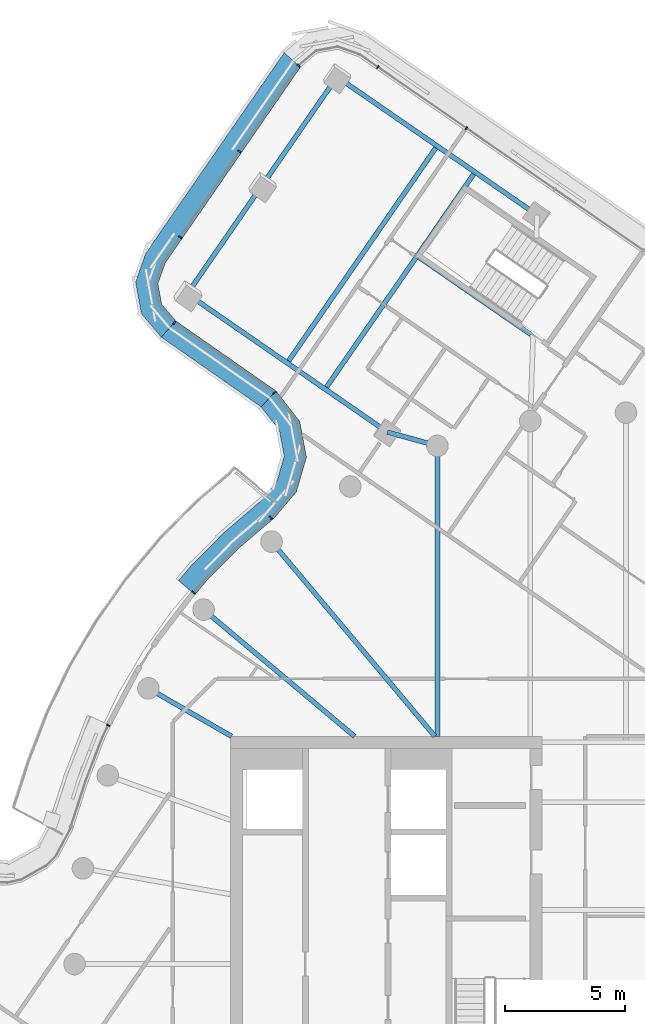
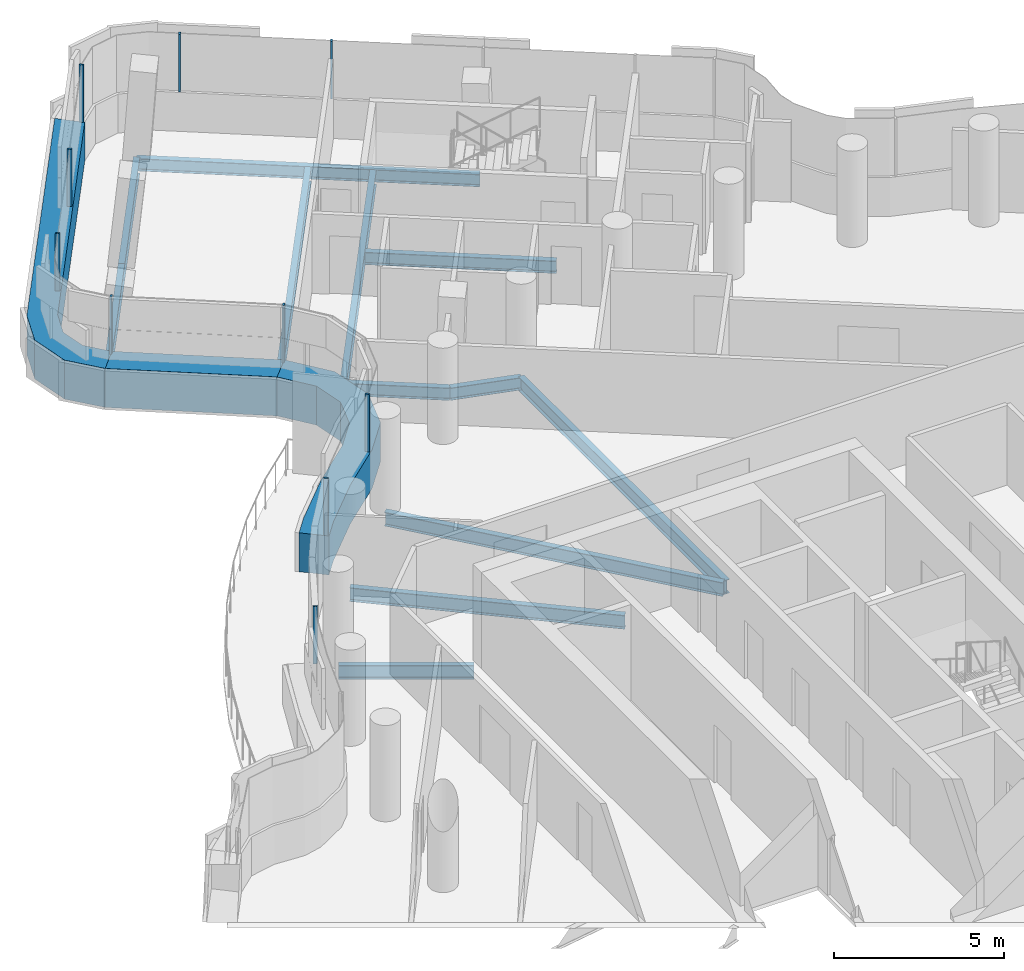
# One storey, part 9 of 26: 13 members, 12 beams, 4 elements without a shape of their own.
"""IFC4 building model written with IfcOpenShell, lengths in metres."""

from ifc_helpers import new_model, si_unit, direction, frame, origin, origin_2d, place, context, subcontext, project, spatial, polyline, rectangle, i_section, outline, extrude, material, layer, layer_set, material_profile, profile_set, type_object, element, aggregate, save


model = new_model("IFC4")

# Units and contexts
model_context = context("Model", 3, precision=1e-05, world=origin(), true_north=direction((0.0, 1.0)))
body_context = subcontext(model_context, "Body", "Model", "MODEL_VIEW")
ifc_project = project(units=[si_unit("LENGTHUNIT", "METRE"), si_unit("AREAUNIT", "SQUARE_METRE"), si_unit("VOLUMEUNIT", "CUBIC_METRE"), si_unit("PLANEANGLEUNIT", "RADIAN"), si_unit("MASSUNIT", "GRAM", prefix="KILO")], contexts=[model_context])

# Site, building, storey
site_placement = place(None, origin())
site = spatial("IfcSite", under=ifc_project, at=site_placement, CompositionType="ELEMENT")
building_placement = place(site_placement, origin())
building = spatial("IfcBuilding", under=site, at=building_placement, Name="Tamarind Cross Interchange Tower", CompositionType="ELEMENT")
storey_placement = place(building_placement, frame((0.0, 0.0, 234.300048828125)))
storey = spatial("IfcBuildingStorey", under=building, at=storey_placement, Name="L59", CompositionType="ELEMENT", Elevation=234.300048828125)

# Beams
ifc_material_1 = material(Name="Steel Q355B", Category="steel")
ifc_material_profile_1 = material_profile(ifc_material_1, i_section(OverallWidth=0.198974609375, OverallDepth=0.446044921875, WebThickness=0.008056640625, FlangeThickness=0.011962890625, FilletRadius=0.012939453125, at=origin_2d()), Name="HN 446x199x8x12")
ifc_profile_set_1 = profile_set([ifc_material_profile_1], Name="Steel Q355B")
beam_type_1 = type_object("IfcBeamType", Name="Composite beam HN 446x199x8x12 Q355B", PredefinedType="BEAM", material=ifc_profile_set_1)
for number, where, z_axis, x_axis, name in (
    (1, (-12.0517578125, 37.005615234375, -0.363037109375), (0.822882163491, -0.568212059893, 0.0), (0.568212059893, 0.822882163491, 0.0), "Beam N-edgeem4"),
    (2, (-18.302001953125, 27.9541015625, -0.363037109375), (0.82287090968, -0.568228357268, 0.0), (0.568228357268, 0.82287090968, 0.0), "Beam N-edgeep2"),
):
    element("IfcBeam", number, at=place(storey_placement, frame(where, z_axis=z_axis, x_axis=x_axis)), inside=storey, type_object=beam_type_1, Name=name, PredefinedType="BEAM", context=body_context, shape_type="SweptSolid", body=[
        extrude(i_section(OverallWidth=0.198974609375, OverallDepth=0.446044921875, WebThickness=0.008056640625, FlangeThickness=0.011962890625, FilletRadius=0.012939453125, at=origin_2d()), origin(), (0.0, 0.0, 1.0), 10.1435546875),
    ])
beam_1_placement = place(storey_placement, frame((-9.955078125, 22.190185546875, -0.363037109375), z_axis=(0.963876995577, -0.266347775283, 0.0), x_axis=(0.266347775283, 0.963876995577, 0.0)))
element("IfcBeam", 3, at=beam_1_placement, inside=storey, type_object=beam_type_1, Name="Beam N-linkep", PredefinedType="BEAM", context=body_context, shape_type="SweptSolid", body=[
    extrude(i_section(OverallWidth=0.198974609375, OverallDepth=0.446044921875, WebThickness=0.008056640625, FlangeThickness=0.011962890625, FilletRadius=0.012939453125, at=origin_2d()), origin(), (0.0, 0.0, 1.0), 2.1669921875),
])
beam_2_placement = place(storey_placement, frame((-3.971923828125, 26.26171875, -0.363037109375), z_axis=(-0.822888737989, 0.568202538617, 0.0), x_axis=(-0.568202538617, -0.822888737989, 0.0)))
element("IfcBeam", 4, at=beam_2_placement, inside=storey, type_object=beam_type_1, Name="Beam N-tr1s1", PredefinedType="BEAM", context=body_context, shape_type="SweptSolid", body=[
    extrude(i_section(OverallWidth=0.198974609375, OverallDepth=0.446044921875, WebThickness=0.008056640625, FlangeThickness=0.011962890625, FilletRadius=0.012939453125, at=origin_2d()), origin(), (0.0, 0.0, 1.0), 5.660400390625),
])
ifc_material_profile_2 = material_profile(ifc_material_1, i_section(OverallWidth=0.198974609375, OverallDepth=0.49609375, WebThickness=0.009033203125, FlangeThickness=0.013916015625, FilletRadius=0.012939453125, at=origin_2d()), Name="HN 496x199x9x14")
ifc_profile_set_2 = profile_set([ifc_material_profile_2], Name="Steel Q355B")
beam_type_2 = type_object("IfcBeamType", Name="Composite beam HN 496x199x9x14 Q355B", PredefinedType="BEAM", material=ifc_profile_set_2)
beam_3_placement = place(storey_placement, frame((-7.866455078125, 21.613037109375, -0.387939453125), z_axis=(0.0, -1.0, 0.0), x_axis=(1.0, 0.0, 0.0)))
element("IfcBeam", 5, at=beam_3_placement, inside=storey, type_object=beam_type_2, Name="Beam HH11", PredefinedType="BEAM", context=body_context, shape_type="SweptSolid", body=[
    extrude(i_section(OverallWidth=0.198974609375, OverallDepth=0.49609375, WebThickness=0.009033203125, FlangeThickness=0.013916015625, FilletRadius=0.012939453125, at=origin_2d()), origin(), (0.0, 0.0, 1.0), 12.113037109375),
])
beam_4_placement = place(storey_placement, frame((-14.7841796875, 17.619140625, -0.387939453125), z_axis=(0.642786293979, -0.766045547127, 0.0), x_axis=(0.766045547127, 0.642786293979, 0.0)))
element("IfcBeam", 6, at=beam_4_placement, inside=storey, type_object=beam_type_2, Name="Beam HH13", PredefinedType="BEAM", context=body_context, shape_type="SweptSolid", body=[
    extrude(i_section(OverallWidth=0.198974609375, OverallDepth=0.49609375, WebThickness=0.009033203125, FlangeThickness=0.013916015625, FilletRadius=0.012939453125, at=origin_2d()), origin(), (0.0, 0.0, 1.0), 10.598876953125),
])
beam_5_placement = place(storey_placement, frame((-17.619140625, 14.7841796875, -0.387939453125), z_axis=(0.766040580814, -0.642792212574, 0.0), x_axis=(0.642792212574, 0.766040580814, 0.0)))
element("IfcBeam", 7, at=beam_5_placement, inside=storey, type_object=beam_type_2, Name="Beam HH14", PredefinedType="BEAM", context=body_context, shape_type="SweptSolid", body=[
    extrude(i_section(OverallWidth=0.198974609375, OverallDepth=0.49609375, WebThickness=0.009033203125, FlangeThickness=0.013916015625, FilletRadius=0.012939453125, at=origin_2d()), origin(), (0.0, 0.0, 1.0), 8.220703125),
])
beam_6_placement = place(storey_placement, frame((-19.918701171875, 11.5, -0.387939453125), z_axis=(0.866026010844, -0.49999894854, 0.0), x_axis=(0.49999894854, 0.866026010844, 0.0)))
element("IfcBeam", 8, at=beam_6_placement, inside=storey, type_object=beam_type_2, Name="Beam HH15", PredefinedType="BEAM", context=body_context, shape_type="SweptSolid", body=[
    extrude(i_section(OverallWidth=0.198974609375, OverallDepth=0.49609375, WebThickness=0.009033203125, FlangeThickness=0.013916015625, FilletRadius=0.012939453125, at=origin_2d()), origin(), (0.0, 0.0, 1.0), 4.0),
])
ifc_material_profile_3 = material_profile(ifc_material_1, i_section(OverallWidth=0.198974609375, OverallDepth=0.595947265625, WebThickness=0.010009765625, FlangeThickness=0.014892578125, FilletRadius=0.012939453125, at=origin_2d()), Name="HN 596x199x10x15")
ifc_profile_set_3 = profile_set([ifc_material_profile_3], Name="Steel Q355B")
beam_type_3 = type_object("IfcBeamType", Name="Composite beam HN 596x199x10x15 Q355B", PredefinedType="BEAM", material=ifc_profile_set_3)
beam_7_placement = place(storey_placement, frame((-12.0517578125, 37.005615234375, -0.43798828125), z_axis=(-0.568219343596, -0.822877133941, 0.0), x_axis=(0.822877133941, -0.568219343596, 0.0)))
element("IfcBeam", 9, at=beam_7_placement, inside=storey, type_object=beam_type_3, Name="Beam N-tip0", PredefinedType="BEAM", context=body_context, shape_type="SweptSolid", body=[
    extrude(i_section(OverallWidth=0.198974609375, OverallDepth=0.595947265625, WebThickness=0.010009765625, FlangeThickness=0.014892578125, FilletRadius=0.012939453125, at=origin_2d()), origin(), (0.0, 0.0, 1.0), 5.5),
])
beam_8_placement = place(storey_placement, frame((-15.177001953125, 32.479736328125, -0.43798828125), z_axis=(-0.568210041248, -0.822883557391, 0.0), x_axis=(0.822883557391, -0.568210041248, 0.0)))
element("IfcBeam", 10, at=beam_8_placement, inside=storey, type_object=beam_type_3, Name="Beam N-tip1", PredefinedType="BEAM", context=body_context, shape_type="SweptSolid", body=[
    extrude(i_section(OverallWidth=0.198974609375, OverallDepth=0.595947265625, WebThickness=0.010009765625, FlangeThickness=0.014892578125, FilletRadius=0.012939453125, at=origin_2d()), origin(), (0.0, 0.0, 1.0), 5.499755859375),
])
for number, where, z_axis, x_axis, name in (
    (11, (-6.296875, 33.031982421875, -0.43798828125), (-0.568204314934, -0.822887511444, 0.0), (0.822887511444, -0.568204314934, 0.0), "Beam N-x334"),
    (12, (-7.878173828125, 34.123779296875, -0.43798828125), (-0.56822972125, -0.822869967789, 0.0), (0.822869967789, -0.56822972125, 0.0), "Beam N-x354"),
):
    element("IfcBeam", number, at=place(storey_placement, frame(where, z_axis=z_axis, x_axis=x_axis)), inside=storey, type_object=beam_type_3, Name=name, PredefinedType="BEAM", context=body_context, shape_type="SweptSolid", body=[
        extrude(i_section(OverallWidth=0.198974609375, OverallDepth=0.595947265625, WebThickness=0.010009765625, FlangeThickness=0.014892578125, FilletRadius=0.012939453125, at=origin_2d()), origin(), (0.0, 0.0, 1.0), 11.0),
    ])

# Curtain wall, member
ifc_material_2 = material(Name="Aluminium 6063-T6", Category="aluminium")
ifc_layer = layer(ifc_material_2, 0.139892578125)
ifc_layer_set = layer_set([ifc_layer], Name="Aluminium 6063-T6")
curtain_wall_type = type_object("IfcCurtainWallType", Name="Hotel curtain wall, 4.5 m bays", PredefinedType="NOTDEFINED", material=ifc_layer_set)
curtain_wall_1_placement = place(storey_placement, origin())
curtain_wall_1 = element("IfcCurtainWall", 13, at=curtain_wall_1_placement, inside=storey, type_object=curtain_wall_type, Name="CWS-L59-04", PredefinedType="NOTDEFINED")
ifc_material_3 = material(Name="Aluminium and insulated spandrel panel", Category="aluminium")
member_type_1 = type_object("IfcMemberType", Name="Floor-edge blade transom", PredefinedType="USERDEFINED", material=ifc_material_3)
member_1_placement = place(storey_placement, origin())
member_1 = element("IfcMember", 14, at=member_1_placement, type_object=member_type_1, Name="CWT-L59-04", ObjectType="TRANSOM", PredefinedType="USERDEFINED", context=body_context, shape_type="SweptSolid", body=[
    extrude(outline(polyline([(-13.580322265625, 37.405517578125), (-19.217529296875, 29.24169921875), (-19.52490234375, 28.37939453125), (-19.367431640625, 27.519287109375), (-18.77392578125, 26.8212890625), (-19.384521484375, 26.14990234375), (-20.209228515625, 27.1201171875), (-20.45361328125, 28.45458984375), (-20.025390625, 29.655517578125), (-14.25341796875, 38.014404296875), (-13.580322265625, 37.405517578125)])), origin(), (0.0, 0.0, 1.0), 1.39990234375),
])

curtain_wall_2_placement = place(storey_placement, origin())
curtain_wall_2 = element("IfcCurtainWall", 15, at=curtain_wall_2_placement, inside=storey, type_object=curtain_wall_type, Name="CWS-L59-05", PredefinedType="NOTDEFINED")
member_2_placement = place(storey_placement, origin())
member_2 = element("IfcMember", 16, at=member_2_placement, type_object=member_type_1, Name="CWT-L59-05", ObjectType="TRANSOM", PredefinedType="USERDEFINED", context=body_context, shape_type="SweptSolid", body=[
    extrude(outline(polyline([(-18.77392578125, 26.8212890625), (-14.5947265625, 23.90234375), (-15.221923828125, 23.24267578125), (-19.384521484375, 26.14990234375), (-18.77392578125, 26.8212890625)])), origin(), (0.0, 0.0, 1.0), 1.39990234375),
])

curtain_wall_3_placement = place(storey_placement, origin())
curtain_wall_3 = element("IfcCurtainWall", 17, at=curtain_wall_3_placement, inside=storey, type_object=curtain_wall_type, Name="CWS-L59-06", PredefinedType="NOTDEFINED")
member_3_placement = place(storey_placement, origin())
member_3 = element("IfcMember", 18, at=member_3_placement, type_object=member_type_1, Name="CWT-L59-06-0", ObjectType="TRANSOM", PredefinedType="USERDEFINED", context=body_context, shape_type="SweptSolid", body=[
    extrude(outline(polyline([(-14.5947265625, 23.90234375), (-13.60791015625, 22.632080078125), (-13.328125, 21.140869140625), (-13.750244140625, 19.693115234375), (-14.661865234375, 18.613525390625), (-16.12353515625, 17.3642578125), (-17.50244140625, 15.973388671875), (-17.978515625, 15.406494140625), (-18.661865234375, 15.9921875), (-18.167724609375, 16.580810546875), (-16.736572265625, 18.0244140625), (-15.30224609375, 19.250244140625), (-14.560791015625, 20.128173828125), (-14.25244140625, 21.186279296875), (-14.4521484375, 22.251953125), (-15.221923828125, 23.24267578125), (-14.5947265625, 23.90234375)])), origin(), (0.0, 0.0, 1.0), 1.39990234375),
])

# Curtain wall, members
curtain_wall_4_placement = place(storey_placement, origin())
curtain_wall_4 = element("IfcCurtainWall", 19, at=curtain_wall_4_placement, inside=storey, type_object=curtain_wall_type, Name="CWS-L59-03", PredefinedType="NOTDEFINED")
ifc_material_profile_4 = material_profile(ifc_material_2, rectangle(XDim=0.06005859375, YDim=0.139892578125, at=origin_2d()), Name="Mullion CW2")
ifc_profile_set_4 = profile_set([ifc_material_profile_4], Name="Aluminium 6063-T6")
member_type_2 = type_object("IfcMemberType", Name="Mullion CW2", PredefinedType="MULLION", material=ifc_profile_set_4)
member_4_placement = place(storey_placement, frame((-6.661376953125, 34.86328125, 1.39990234375), z_axis=(0.0, 0.0, 1.0), x_axis=(-0.822882571359, 0.56821146922, 0.0)))
member_4 = element("IfcMember", 20, at=member_4_placement, type_object=member_type_2, Name="CWM-L59-03-03", PredefinedType="MULLION", context=body_context, shape_type="SweptSolid", body=[
    extrude(rectangle(XDim=0.06005859375, YDim=0.139892578125, at=origin_2d()), origin(), (0.0, 0.0, 1.0), 2.06005859375),
])
member_5_placement = place(storey_placement, frame((-10.352783203125, 37.412353515625, 1.39990234375), z_axis=(0.0, 0.0, 1.0), x_axis=(-0.822882571359, 0.56821146922, 0.0)))
member_5 = element("IfcMember", 21, at=member_5_placement, type_object=member_type_2, Name="CWM-L59-03-04", PredefinedType="MULLION", context=body_context, shape_type="SweptSolid", body=[
    extrude(rectangle(XDim=0.06005859375, YDim=0.139892578125, at=origin_2d()), origin(), (0.0, 0.0, 1.0), 2.06005859375),
])
aggregate(curtain_wall_4, [member_4, member_5])

# Member
member_6_placement = place(storey_placement, frame((-13.655029296875, 37.47314453125, 1.39990234375), z_axis=(0.0, 0.0, 1.0), x_axis=(-0.670758070015, -0.741676217435, 0.0)))
member_6 = element("IfcMember", 22, at=member_6_placement, type_object=member_type_2, Name="CWM-L59-04-00", PredefinedType="MULLION", context=body_context, shape_type="SweptSolid", body=[
    extrude(rectangle(XDim=0.06005859375, YDim=0.139892578125, at=origin_2d()), origin(), (0.0, 0.0, 1.0), 2.06005859375),
])

member_7_placement = place(storey_placement, frame((-16.124267578125, 33.897216796875, 1.39990234375), z_axis=(0.0, 0.0, 1.0), x_axis=(-0.56821146922, -0.822882571359, 0.0)))
member_7 = element("IfcMember", 23, at=member_7_placement, type_object=member_type_2, Name="CWM-L59-04-01", PredefinedType="MULLION", context=body_context, shape_type="SweptSolid", body=[
    extrude(rectangle(XDim=0.06005859375, YDim=0.139892578125, at=origin_2d()), origin(), (0.0, 0.0, 1.0), 2.06005859375),
])

member_8_placement = place(storey_placement, frame((-18.593505859375, 30.3212890625, 1.39990234375), z_axis=(0.0, 0.0, 1.0), x_axis=(-0.56821146922, -0.822882571359, 0.0)))
member_8 = element("IfcMember", 24, at=member_8_placement, type_object=member_type_2, Name="CWM-L59-04-02", PredefinedType="MULLION", context=body_context, shape_type="SweptSolid", body=[
    extrude(rectangle(XDim=0.06005859375, YDim=0.139892578125, at=origin_2d()), origin(), (0.0, 0.0, 1.0), 2.06005859375),
])

aggregate(curtain_wall_1, [member_6, member_7, member_8, member_1])

member_9_placement = place(storey_placement, frame((-18.841796875, 26.74658203125, 1.39990234375), z_axis=(0.0, 0.0, 1.0), x_axis=(0.739876944434, -0.672742229309, 0.0)))
member_9 = element("IfcMember", 25, at=member_9_placement, type_object=member_type_2, Name="CWM-L59-05-00", PredefinedType="MULLION", context=body_context, shape_type="SweptSolid", body=[
    extrude(rectangle(XDim=0.06005859375, YDim=0.139892578125, at=origin_2d()), origin(), (0.0, 0.0, 1.0), 2.06005859375),
])

aggregate(curtain_wall_2, [member_9, member_2])

member_10_placement = place(storey_placement, frame((-14.66455078125, 23.8291015625, 1.39990234375), z_axis=(0.0, 0.0, 1.0), x_axis=(0.724839864164, -0.68891739078, 0.0)))
member_10 = element("IfcMember", 26, at=member_10_placement, type_object=member_type_2, Name="CWM-L59-06-00", PredefinedType="MULLION", context=body_context, shape_type="SweptSolid", body=[
    extrude(rectangle(XDim=0.06005859375, YDim=0.139892578125, at=origin_2d()), origin(), (0.0, 0.0, 1.0), 2.06005859375),
])

member_11_placement = place(storey_placement, frame((-14.816162109375, 18.613037109375, 1.39990234375), z_axis=(0.0, 0.0, 1.0), x_axis=(-0.760189688003, -0.649701191514, 0.0)))
member_11 = element("IfcMember", 27, at=member_11_placement, type_object=member_type_2, Name="CWM-L59-06-01", PredefinedType="MULLION", context=body_context, shape_type="SweptSolid", body=[
    extrude(rectangle(XDim=0.06005859375, YDim=0.139892578125, at=origin_2d()), origin(), (0.0, 0.0, 1.0), 2.06005859375),
])

member_12_placement = place(storey_placement, frame((-18.03515625, 15.494384765625, 1.39990234375), z_axis=(0.0, 0.0, 1.0), x_axis=(-0.643009266048, -0.765858396687, 0.0)))
member_12 = element("IfcMember", 28, at=member_12_placement, type_object=member_type_2, Name="CWM-L59-06-02", PredefinedType="MULLION", context=body_context, shape_type="SweptSolid", body=[
    extrude(rectangle(XDim=0.06005859375, YDim=0.139892578125, at=origin_2d()), origin(), (0.0, 0.0, 1.0), 2.06005859375),
])

member_13_placement = place(storey_placement, frame((-21.5947265625, 9.956298828125, 1.39990234375), z_axis=(0.0, 0.0, 1.0), x_axis=(-0.435326231914, -0.900272776334, 0.0)))
member_13 = element("IfcMember", 29, at=member_13_placement, type_object=member_type_2, Name="CWM-L59-06-03", PredefinedType="MULLION", context=body_context, shape_type="SweptSolid", body=[
    extrude(rectangle(XDim=0.06005859375, YDim=0.139892578125, at=origin_2d()), origin(), (0.0, 0.0, 1.0), 2.06005859375),
])

aggregate(curtain_wall_3, [member_10, member_11, member_12, member_13, member_3])

save(model, "model.ifc")
